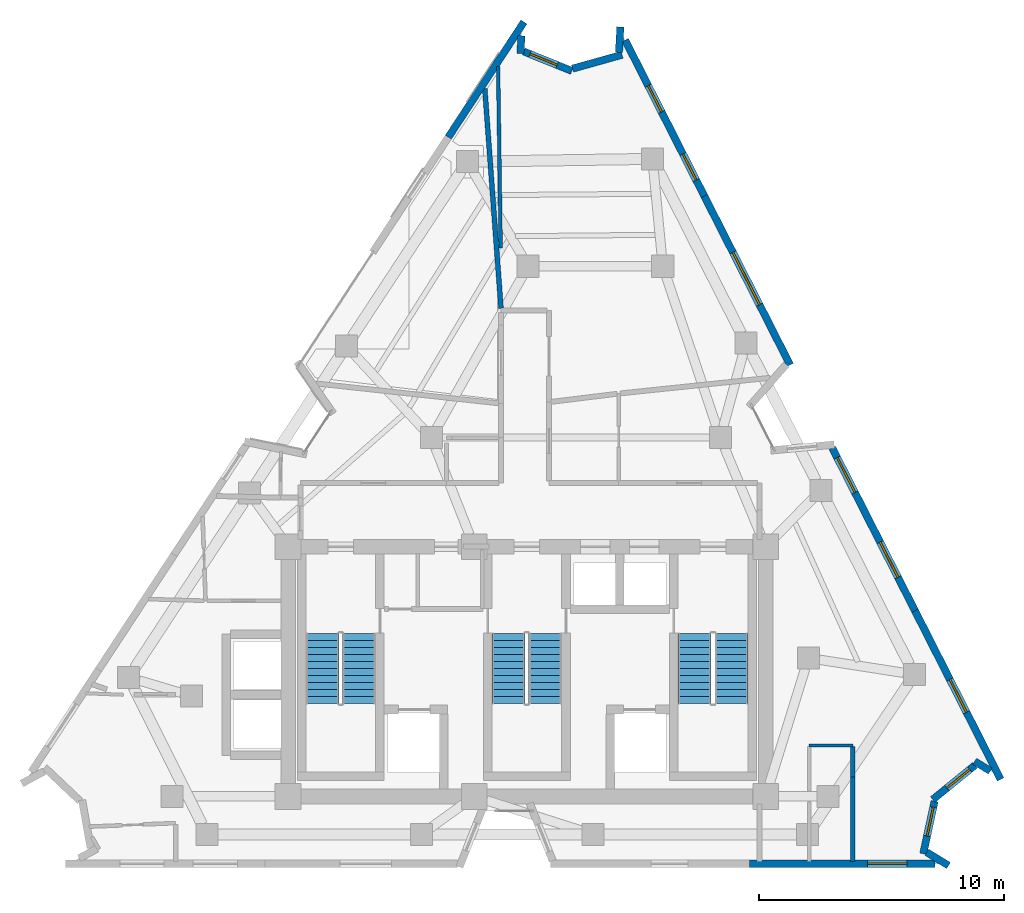
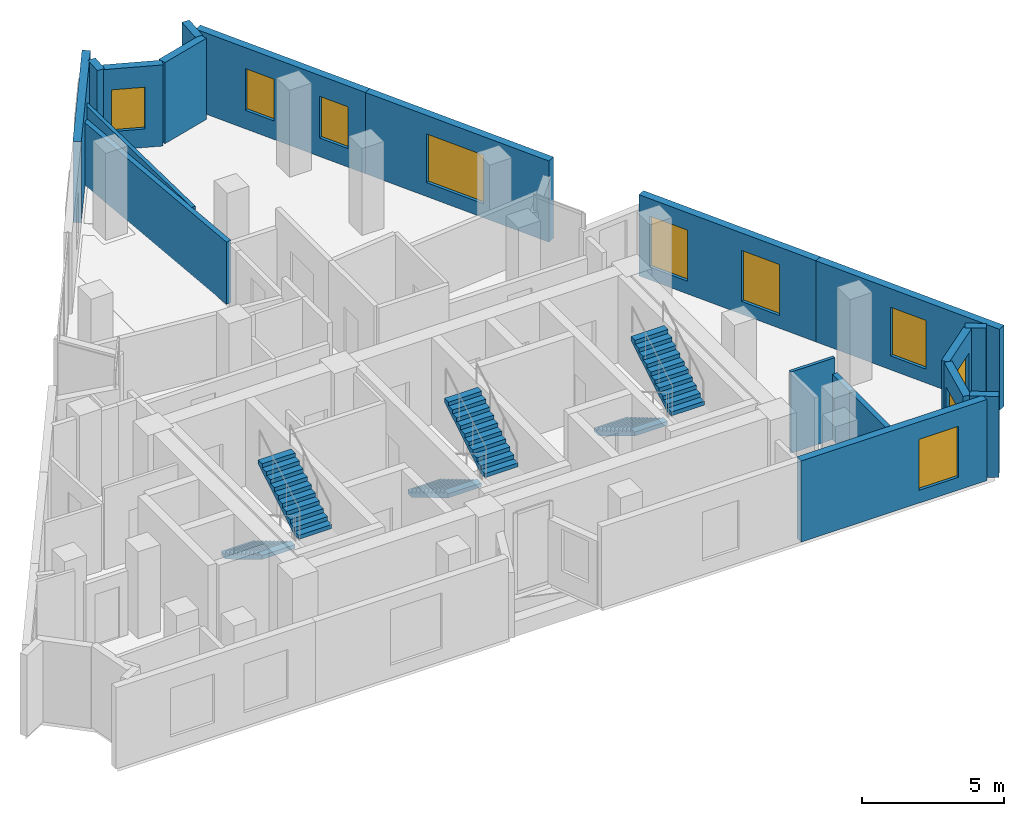
# One storey, part 7 of 8: 19 walls, 10 windows, 6 stair flights, 10 openings, 3 elements without a shape of their own.
"""IFC4 building model written with IfcOpenShell, lengths in metres."""

from ifc_helpers import new_model, si_unit, direction, frame, frame_2d, origin, place, context, subcontext, project, spatial, polyline, rectangle, outline, extrude, material, layer, layer_set, type_object, element, fill, aggregate, save


model = new_model("IFC4")

# Units and contexts
model_context = context("Model", 3, precision=1e-05, world=origin(), true_north=direction((0.0, 1.0)))
body_context = subcontext(model_context, "Body", "Model", "MODEL_VIEW")
ifc_project = project(units=[si_unit("LENGTHUNIT", "METRE"), si_unit("AREAUNIT", "SQUARE_METRE"), si_unit("VOLUMEUNIT", "CUBIC_METRE"), si_unit("PLANEANGLEUNIT", "RADIAN"), si_unit("MASSUNIT", "GRAM", prefix="KILO")], contexts=[model_context])

# Site, building, storey
site_placement = place(None, origin())
site = spatial("IfcSite", under=ifc_project, at=site_placement, CompositionType="ELEMENT")
building_placement = place(site_placement, origin())
building = spatial("IfcBuilding", under=site, at=building_placement, Name="Almagre Mirador Tower", CompositionType="ELEMENT")
storey_placement = place(building_placement, frame((0.0, 0.0, 240.75)))
storey = spatial("IfcBuildingStorey", under=building, at=storey_placement, Name="L62", CompositionType="ELEMENT", Elevation=240.75)

# Walls
ifc_material_1 = material(Name="Precast concrete C50/60", Category="concrete")
ifc_layer_1 = layer(ifc_material_1, 0.300048828125)
ifc_layer_set_1 = layer_set([ifc_layer_1], Name="Precast concrete C50/60")
wall_type_1 = type_object("IfcWallType", Name="WAL-EXT-300", PredefinedType="SOLIDWALL", material=ifc_layer_set_1)
wall_1_placement = place(storey_placement, frame((34.092529296875, 31.472900390625, 0.0), z_axis=(0.0, 0.0, 1.0), x_axis=(0.549058359685, 0.835784013762, 0.0)))
element("IfcWall", 1, at=wall_1_placement, inside=storey, type_object=wall_type_1, Name="L62 expressed almagre precast frame wall 04", PredefinedType="SOLIDWALL", context=body_context, shape_type="SweptSolid", body=[
    extrude(rectangle(XDim=5.624755859375, YDim=0.300048828125, at=frame_2d((2.8125, 0.0))), origin(), (0.0, 0.0, 1.0), 3.5),
])
wall_2_placement = place(storey_placement, frame((37.0791015625, 35.61279296875, 0.0), z_axis=(0.0, 0.0, 1.0), x_axis=(-0.056136239568, -0.998423118025, 0.0)))
element("IfcWall", 2, at=wall_2_placement, inside=storey, type_object=wall_type_1, Name="L62 expressed almagre precast frame wall 05", PredefinedType="SOLIDWALL", context=body_context, shape_type="SweptSolid", body=[
    extrude(rectangle(XDim=0.730712890625, YDim=0.300048828125, at=frame_2d((0.365234375, 0.0))), origin(), (0.0, 0.0, 1.0), 3.5),
])

# Wall, opening, window
wall_3_placement = place(storey_placement, frame((37.171142578125, 34.972412109375, 0.0), z_axis=(0.0, 0.0, 1.0), x_axis=(0.927076098221, -0.37487318937, 0.0)))
wall_3 = element("IfcWall", 3, at=wall_3_placement, inside=storey, type_object=wall_type_1, Name="L62 expressed almagre precast frame wall 06", PredefinedType="SOLIDWALL", context=body_context, shape_type="SweptSolid", body=[
    extrude(rectangle(XDim=2.125732421875, YDim=0.300048828125, at=frame_2d((1.06298828125, 0.0))), origin(), (0.0, 0.0, 1.0), 3.5),
])
opening_1_placement = place(wall_3_placement, frame((0.27490234375, 0.0, 0.800048828125)))
opening_1 = element("IfcOpeningElement", 4, at=opening_1_placement, cuts=wall_3, Name="Opening WN-04", PredefinedType="OPENING", context=body_context, shape_type="SweptSolid", body=[
    extrude(rectangle(XDim=1.199951171875, YDim=1.800048828125, at=frame_2d((0.60009765625, 0.89990234375))), frame((0.0, 0.159902, 0.0), z_axis=(0.0, -1.0, 0.0), x_axis=(1.0, 0.0, 0.0)), (0.0, 0.0, 1.0), 0.320049),
])
ifc_material_2 = material(Name="Dark solar-control laminated hurricane glass", Category="glass")
window_type_1 = type_object("IfcWindowType", Name="WIN-1200X1800", PartitioningType="SINGLE_PANEL", PredefinedType="WINDOW", material=ifc_material_2)
window_1_placement = place(opening_1_placement, origin())
window_1 = element("IfcWindow", 5, at=window_1_placement, inside=storey, type_object=window_type_1, Name="L62 recessed hurricane window L62-UK-KT", OverallHeight=1.800048828125, OverallWidth=1.199951171875, PartitioningType="SINGLE_PANEL", PredefinedType="WINDOW", context=body_context, shape_type="SweptSolid", body=[
    extrude(rectangle(XDim=1.199951171875, YDim=1.800048828125, at=frame_2d((0.60009765625, 0.89990234375))), frame((0.0, 0.030029296875, 0.0), z_axis=(0.0, -1.0, 0.0), x_axis=(1.0, 0.0, 0.0)), (0.0, 0.0, 1.0), 0.06005859375),
])
fill(opening_1, window_1)

# Walls
wall_4_placement = place(storey_placement, frame((39.166015625, 34.27099609375, 0.0), z_axis=(0.0, 0.0, 1.0), x_axis=(0.962897602702, 0.269867016714, 0.0)))
element("IfcWall", 6, at=wall_4_placement, inside=storey, type_object=wall_type_1, Name="L62 expressed almagre precast frame wall 07", PredefinedType="SOLIDWALL", context=body_context, shape_type="SweptSolid", body=[
    extrude(rectangle(XDim=2.1005859375, YDim=0.300048828125, at=frame_2d((1.05029296875, 0.0))), origin(), (0.0, 0.0, 1.0), 3.5),
])
wall_5_placement = place(storey_placement, frame((41.0615234375, 34.934814453125, 0.0), z_axis=(0.0, 0.0, 1.0), x_axis=(0.056067679965, 0.998426970421, 0.0)))
element("IfcWall", 7, at=wall_5_placement, inside=storey, type_object=wall_type_1, Name="L62 expressed almagre precast frame wall 08", PredefinedType="SOLIDWALL", context=body_context, shape_type="SweptSolid", body=[
    extrude(rectangle(XDim=1.040771484375, YDim=0.300048828125, at=frame_2d((0.5205078125, 0.0))), origin(), (0.0, 0.0, 1.0), 3.5),
])

# Wall, openings, windows
wall_6_placement = place(storey_placement, frame((41.3134765625, 35.437255859375, 0.0), z_axis=(0.0, 0.0, 1.0), x_axis=(0.45284692617, -0.891588280238, 0.0)))
wall_6 = element("IfcWall", 8, at=wall_6_placement, inside=storey, type_object=wall_type_1, Name="L62 expressed almagre precast frame wall 09", PredefinedType="SOLIDWALL", context=body_context, shape_type="SweptSolid", body=[
    extrude(rectangle(XDim=7.148193359375, YDim=0.300048828125, at=frame_2d((3.57421875, 0.0))), origin(), (0.0, 0.0, 1.0), 3.5),
])
opening_2_placement = place(wall_6_placement, frame((5.215087890625, 0.0, 0.800048828125)))
opening_2 = element("IfcOpeningElement", 9, at=opening_2_placement, cuts=wall_6, Name="Opening WN-04", PredefinedType="OPENING", context=body_context, shape_type="SweptSolid", body=[
    extrude(rectangle(XDim=1.199951171875, YDim=1.800048828125, at=frame_2d((0.60009765625, 0.89990234375))), frame((0.0, 0.159902, 0.0), z_axis=(0.0, -1.0, 0.0), x_axis=(1.0, 0.0, 0.0)), (0.0, 0.0, 1.0), 0.320049),
])
opening_3_placement = place(wall_6_placement, frame((2.090087890625, 0.0, 0.800048828125)))
opening_3 = element("IfcOpeningElement", 10, at=opening_3_placement, cuts=wall_6, Name="Opening WN-04", PredefinedType="OPENING", context=body_context, shape_type="SweptSolid", body=[
    extrude(rectangle(XDim=1.199951171875, YDim=1.800048828125, at=frame_2d((0.60009765625, 0.89990234375))), frame((0.0, 0.159902, 0.0), z_axis=(0.0, -1.0, 0.0), x_axis=(1.0, 0.0, 0.0)), (0.0, 0.0, 1.0), 0.320049),
])
window_2_placement = place(opening_2_placement, origin())
window_2 = element("IfcWindow", 11, at=window_2_placement, inside=storey, type_object=window_type_1, Name="L62 recessed hurricane window L62-UK-ST", OverallHeight=1.800048828125, OverallWidth=1.199951171875, PartitioningType="SINGLE_PANEL", PredefinedType="WINDOW", context=body_context, shape_type="SweptSolid", body=[
    extrude(rectangle(XDim=1.199951171875, YDim=1.800048828125, at=frame_2d((0.60009765625, 0.89990234375))), frame((0.0, 0.030029296875, 0.0), z_axis=(0.0, -1.0, 0.0), x_axis=(1.0, 0.0, 0.0)), (0.0, 0.0, 1.0), 0.06005859375),
])
fill(opening_2, window_2)
window_3_placement = place(opening_3_placement, origin())
window_3 = element("IfcWindow", 12, at=window_3_placement, inside=storey, type_object=window_type_1, Name="L62 recessed hurricane window L62-UK-BT", OverallHeight=1.800048828125, OverallWidth=1.199951171875, PartitioningType="SINGLE_PANEL", PredefinedType="WINDOW", context=body_context, shape_type="SweptSolid", body=[
    extrude(rectangle(XDim=1.199951171875, YDim=1.800048828125, at=frame_2d((0.60009765625, 0.89990234375))), frame((0.0, 0.030029296875, 0.0), z_axis=(0.0, -1.0, 0.0), x_axis=(1.0, 0.0, 0.0)), (0.0, 0.0, 1.0), 0.06005859375),
])
fill(opening_3, window_3)

# Wall, opening, window
wall_7_placement = place(storey_placement, frame((44.550537109375, 29.06396484375, 0.0), z_axis=(0.0, 0.0, 1.0), x_axis=(0.452849522817, -0.89158696137, 0.0)))
wall_7 = element("IfcWall", 13, at=wall_7_placement, inside=storey, type_object=wall_type_1, Name="L62 expressed almagre precast frame wall 10", PredefinedType="SOLIDWALL", context=body_context, shape_type="SweptSolid", body=[
    extrude(rectangle(XDim=7.733154296875, YDim=0.300048828125, at=frame_2d((3.86669921875, 0.0))), origin(), (0.0, 0.0, 1.0), 3.5),
])
opening_4_placement = place(wall_7_placement, frame((2.574951171875, 0.0, 0.60009765625)))
opening_4 = element("IfcOpeningElement", 14, at=opening_4_placement, cuts=wall_7, Name="Opening WN-02", PredefinedType="OPENING", context=body_context, shape_type="SweptSolid", body=[
    extrude(rectangle(XDim=2.39990234375, YDim=2.10009765625, at=frame_2d((1.199951171875, 1.050048828125))), frame((0.0, 0.159902, 0.0), z_axis=(0.0, -1.0, 0.0), x_axis=(1.0, 0.0, 0.0)), (0.0, 0.0, 1.0), 0.320049),
])
ifc_material_3 = material(Name="Dark solar-control laminated hurricane glass", Category="glass")
window_type_2 = type_object("IfcWindowType", Name="WIN-2400X2100", PartitioningType="TRIPLE_PANEL_VERTICAL", PredefinedType="WINDOW", material=ifc_material_3)
window_4_placement = place(opening_4_placement, origin())
window_4 = element("IfcWindow", 15, at=window_4_placement, inside=storey, type_object=window_type_2, Name="L62 recessed hurricane window L62-UK-ST", OverallHeight=2.10009765625, OverallWidth=2.39990234375, PartitioningType="SINGLE_PANEL", PredefinedType="WINDOW", context=body_context, shape_type="SweptSolid", body=[
    extrude(rectangle(XDim=2.39990234375, YDim=2.10009765625, at=frame_2d((1.199951171875, 1.050048828125))), frame((0.0, 0.030029296875, 0.0), z_axis=(0.0, -1.0, 0.0), x_axis=(1.0, 0.0, 0.0)), (0.0, 0.0, 1.0), 0.06005859375),
])
fill(opening_4, window_4)

# Wall, openings, windows
wall_8_placement = place(storey_placement, frame((49.772216796875, 18.78564453125, 0.0), z_axis=(0.0, 0.0, 1.0), x_axis=(0.452822087263, -0.891600895741, 0.0)))
wall_8 = element("IfcWall", 16, at=wall_8_placement, inside=storey, type_object=wall_type_1, Name="L62 expressed almagre precast frame wall 13", PredefinedType="SOLIDWALL", context=body_context, shape_type="SweptSolid", body=[
    extrude(rectangle(XDim=7.4580078125, YDim=0.300048828125, at=frame_2d((3.72900390625, 0.0))), origin(), (0.0, 0.0, 1.0), 3.5),
])
opening_5_placement = place(wall_8_placement, frame((4.324951171875, 0.0, 0.550048828125)))
opening_5 = element("IfcOpeningElement", 17, at=opening_5_placement, cuts=wall_8, Name="Opening WN-06", PredefinedType="OPENING", context=body_context, shape_type="SweptSolid", body=[
    extrude(rectangle(XDim=1.60009765625, YDim=2.199951171875, at=frame_2d((0.800048828125, 1.10009765625))), frame((0.0, 0.159902, 0.0), z_axis=(0.0, -1.0, 0.0), x_axis=(1.0, 0.0, 0.0)), (0.0, 0.0, 1.0), 0.320049),
])
opening_6_placement = place(wall_8_placement, frame((0.449951171875, 0.0, 0.550048828125)))
opening_6 = element("IfcOpeningElement", 18, at=opening_6_placement, cuts=wall_8, Name="Opening WN-06", PredefinedType="OPENING", context=body_context, shape_type="SweptSolid", body=[
    extrude(rectangle(XDim=1.60009765625, YDim=2.199951171875, at=frame_2d((0.800048828125, 1.10009765625))), frame((0.0, 0.159902, 0.0), z_axis=(0.0, -1.0, 0.0), x_axis=(1.0, 0.0, 0.0)), (0.0, 0.0, 1.0), 0.320049),
])
ifc_material_4 = material(Name="Dark solar-control laminated hurricane glass", Category="glass")
window_type_3 = type_object("IfcWindowType", Name="WIN-1600X2200", PartitioningType="DOUBLE_PANEL_VERTICAL", PredefinedType="WINDOW", material=ifc_material_4)
window_5_placement = place(opening_5_placement, origin())
window_5 = element("IfcWindow", 19, at=window_5_placement, inside=storey, type_object=window_type_3, Name="L62 recessed hurricane window L62-UD-ST", OverallHeight=2.199951171875, OverallWidth=1.60009765625, PartitioningType="SINGLE_PANEL", PredefinedType="WINDOW", context=body_context, shape_type="SweptSolid", body=[
    extrude(rectangle(XDim=1.60009765625, YDim=2.199951171875, at=frame_2d((0.800048828125, 1.10009765625))), frame((0.0, 0.030029296875, 0.0), z_axis=(0.0, -1.0, 0.0), x_axis=(1.0, 0.0, 0.0)), (0.0, 0.0, 1.0), 0.06005859375),
])
fill(opening_5, window_5)
window_6_placement = place(opening_6_placement, origin())
window_6 = element("IfcWindow", 20, at=window_6_placement, inside=storey, type_object=window_type_3, Name="L62 recessed hurricane window L62-UG-ST", OverallHeight=2.199951171875, OverallWidth=1.60009765625, PartitioningType="SINGLE_PANEL", PredefinedType="WINDOW", context=body_context, shape_type="SweptSolid", body=[
    extrude(rectangle(XDim=1.60009765625, YDim=2.199951171875, at=frame_2d((0.800048828125, 1.10009765625))), frame((0.0, 0.030029296875, 0.0), z_axis=(0.0, -1.0, 0.0), x_axis=(1.0, 0.0, 0.0)), (0.0, 0.0, 1.0), 0.06005859375),
])
fill(opening_6, window_6)

# Wall, opening, window
wall_9_placement = place(storey_placement, frame((53.1494140625, 12.135986328125, 0.0), z_axis=(0.0, 0.0, 1.0), x_axis=(0.452849522817, -0.89158696137, 0.0)))
wall_9 = element("IfcWall", 21, at=wall_9_placement, inside=storey, type_object=wall_type_1, Name="L62 expressed almagre precast frame wall 14", PredefinedType="SOLIDWALL", context=body_context, shape_type="SweptSolid", body=[
    extrude(rectangle(XDim=7.733154296875, YDim=0.300048828125, at=frame_2d((3.86669921875, 0.0))), origin(), (0.0, 0.0, 1.0), 3.5),
])
opening_7_placement = place(wall_9_placement, frame((3.14990234375, 0.0, 0.60009765625)))
opening_7 = element("IfcOpeningElement", 22, at=opening_7_placement, cuts=wall_9, Name="Opening WN-03", PredefinedType="OPENING", context=body_context, shape_type="SweptSolid", body=[
    extrude(rectangle(XDim=1.5, YDim=2.10009765625, at=frame_2d((0.75, 1.050048828125))), frame((0.0, 0.159902, 0.0), z_axis=(0.0, -1.0, 0.0), x_axis=(1.0, 0.0, 0.0)), (0.0, 0.0, 1.0), 0.320049),
])
ifc_material_5 = material(Name="Dark solar-control laminated hurricane glass", Category="glass")
window_type_4 = type_object("IfcWindowType", Name="WIN-1500X2100", PartitioningType="DOUBLE_PANEL_VERTICAL", PredefinedType="WINDOW", material=ifc_material_5)
window_7_placement = place(opening_7_placement, origin())
window_7 = element("IfcWindow", 23, at=window_7_placement, inside=storey, type_object=window_type_4, Name="L62 recessed hurricane window L62-UD-KT", OverallHeight=2.10009765625, OverallWidth=1.5, PartitioningType="SINGLE_PANEL", PredefinedType="WINDOW", context=body_context, shape_type="SweptSolid", body=[
    extrude(rectangle(XDim=1.5, YDim=2.10009765625, at=frame_2d((0.75, 1.050048828125))), frame((0.0, 0.030029296875, 0.0), z_axis=(0.0, -1.0, 0.0), x_axis=(1.0, 0.0, 0.0)), (0.0, 0.0, 1.0), 0.06005859375),
])
fill(opening_7, window_7)

# Wall
wall_10_placement = place(storey_placement, frame((56.225830078125, 5.58837890625, 0.0), z_axis=(0.0, 0.0, 1.0), x_axis=(-0.851959856167, 0.523607107935, 0.0)))
element("IfcWall", 24, at=wall_10_placement, inside=storey, type_object=wall_type_1, Name="L62 expressed almagre precast frame wall 15", PredefinedType="SOLIDWALL", context=body_context, shape_type="SweptSolid", body=[
    extrude(rectangle(XDim=0.750244140625, YDim=0.300048828125, at=frame_2d((0.375, 0.0))), origin(), (0.0, 0.0, 1.0), 3.5),
])

# Wall, opening, window
wall_11_placement = place(storey_placement, frame((55.601318359375, 5.82275390625, 0.0), z_axis=(0.0, 0.0, 1.0), x_axis=(-0.775969517168, -0.630770408648, 0.0)))
wall_11 = element("IfcWall", 25, at=wall_11_placement, inside=storey, type_object=wall_type_1, Name="L62 expressed almagre precast frame wall 16", PredefinedType="SOLIDWALL", context=body_context, shape_type="SweptSolid", body=[
    extrude(rectangle(XDim=2.222900390625, YDim=0.300048828125, at=frame_2d((1.111328125, 0.0))), origin(), (0.0, 0.0, 1.0), 3.5),
])
opening_8_placement = place(wall_11_placement, frame((0.27490234375, 0.0, 0.800048828125)))
opening_8 = element("IfcOpeningElement", 26, at=opening_8_placement, cuts=wall_11, Name="Opening WN-04", PredefinedType="OPENING", context=body_context, shape_type="SweptSolid", body=[
    extrude(rectangle(XDim=1.199951171875, YDim=1.800048828125, at=frame_2d((0.60009765625, 0.89990234375))), frame((0.0, 0.159902, 0.0), z_axis=(0.0, -1.0, 0.0), x_axis=(1.0, 0.0, 0.0)), (0.0, 0.0, 1.0), 0.320049),
])
window_8_placement = place(opening_8_placement, origin())
window_8 = element("IfcWindow", 27, at=window_8_placement, inside=storey, type_object=window_type_1, Name="L62 recessed hurricane window L62-UD-KT", OverallHeight=1.800048828125, OverallWidth=1.199951171875, PartitioningType="SINGLE_PANEL", PredefinedType="WINDOW", context=body_context, shape_type="SweptSolid", body=[
    extrude(rectangle(XDim=1.199951171875, YDim=1.800048828125, at=frame_2d((0.60009765625, 0.89990234375))), frame((0.0, 0.030029296875, 0.0), z_axis=(0.0, -1.0, 0.0), x_axis=(1.0, 0.0, 0.0)), (0.0, 0.0, 1.0), 0.06005859375),
])
fill(opening_8, window_8)

wall_12_placement = place(storey_placement, frame((53.951416015625, 4.3525390625, 0.0), z_axis=(0.0, 0.0, 1.0), x_axis=(-0.210621406129, -0.977567707773, 0.0)))
wall_12 = element("IfcWall", 28, at=wall_12_placement, inside=storey, type_object=wall_type_1, Name="L62 expressed almagre precast frame wall 17", PredefinedType="SOLIDWALL", context=body_context, shape_type="SweptSolid", body=[
    extrude(rectangle(XDim=2.19775390625, YDim=0.300048828125, at=frame_2d((1.098876953125, 0.0))), origin(), (0.0, 0.0, 1.0), 3.5),
])
opening_9_placement = place(wall_12_placement, frame((0.25, 0.0, 0.800048828125)))
opening_9 = element("IfcOpeningElement", 29, at=opening_9_placement, cuts=wall_12, Name="Opening WN-04", PredefinedType="OPENING", context=body_context, shape_type="SweptSolid", body=[
    extrude(rectangle(XDim=1.199951171875, YDim=1.800048828125, at=frame_2d((0.60009765625, 0.89990234375))), frame((0.0, 0.159902, 0.0), z_axis=(0.0, -1.0, 0.0), x_axis=(1.0, 0.0, 0.0)), (0.0, 0.0, 1.0), 0.320049),
])
window_9_placement = place(opening_9_placement, origin())
window_9 = element("IfcWindow", 30, at=window_9_placement, inside=storey, type_object=window_type_1, Name="L62 recessed hurricane window L62-UD-BT", OverallHeight=1.800048828125, OverallWidth=1.199951171875, PartitioningType="SINGLE_PANEL", PredefinedType="WINDOW", context=body_context, shape_type="SweptSolid", body=[
    extrude(rectangle(XDim=1.199951171875, YDim=1.800048828125, at=frame_2d((0.60009765625, 0.89990234375))), frame((0.0, 0.030029296875, 0.0), z_axis=(0.0, -1.0, 0.0), x_axis=(1.0, 0.0, 0.0)), (0.0, 0.0, 1.0), 0.06005859375),
])
fill(opening_9, window_9)

# Wall
wall_13_placement = place(storey_placement, frame((53.633056640625, 2.2705078125, 0.0), z_axis=(0.0, 0.0, 1.0), x_axis=(0.852375061926, -0.522930926421, 0.0)))
element("IfcWall", 31, at=wall_13_placement, inside=storey, type_object=wall_type_1, Name="L62 expressed almagre precast frame wall 18", PredefinedType="SOLIDWALL", context=body_context, shape_type="SweptSolid", body=[
    extrude(rectangle(XDim=1.039794921875, YDim=0.300048828125, at=frame_2d((0.52001953125, 0.0))), origin(), (0.0, 0.0, 1.0), 3.5),
])

# Wall, opening, window
wall_14_placement = place(storey_placement, frame((53.97509765625, 1.800048828125, 0.0), z_axis=(0.0, 0.0, 1.0), x_axis=(-1.0, 0.0, 0.0)))
wall_14 = element("IfcWall", 32, at=wall_14_placement, inside=storey, type_object=wall_type_1, Name="L62 expressed almagre precast frame wall 19", PredefinedType="SOLIDWALL", context=body_context, shape_type="SweptSolid", body=[
    extrude(rectangle(XDim=7.5751953125, YDim=0.300048828125, at=frame_2d((3.78759765625, 0.0))), origin(), (0.0, 0.0, 1.0), 3.5),
])
opening_10_placement = place(wall_14_placement, frame((1.159912109375, 0.0, 0.550048828125)))
opening_10 = element("IfcOpeningElement", 33, at=opening_10_placement, cuts=wall_14, Name="Opening WN-06", PredefinedType="OPENING", context=body_context, shape_type="SweptSolid", body=[
    extrude(rectangle(XDim=1.60009765625, YDim=2.199951171875, at=frame_2d((0.800048828125, 1.10009765625))), frame((0.0, 0.159902, 0.0), z_axis=(0.0, -1.0, 0.0), x_axis=(1.0, 0.0, 0.0)), (0.0, 0.0, 1.0), 0.320049),
])
window_10_placement = place(opening_10_placement, origin())
window_10 = element("IfcWindow", 34, at=window_10_placement, inside=storey, type_object=window_type_3, Name="L62 recessed hurricane window L62-UD-BT", OverallHeight=2.199951171875, OverallWidth=1.60009765625, PartitioningType="SINGLE_PANEL", PredefinedType="WINDOW", context=body_context, shape_type="SweptSolid", body=[
    extrude(rectangle(XDim=1.60009765625, YDim=2.199951171875, at=frame_2d((0.800048828125, 1.10009765625))), frame((0.0, 0.030029296875, 0.0), z_axis=(0.0, -1.0, 0.0), x_axis=(1.0, 0.0, 0.0)), (0.0, 0.0, 1.0), 0.06005859375),
])
fill(opening_10, window_10)

# Walls
ifc_material_6 = material(Name="Gypsum acoustic stud partition", Category="other")
ifc_layer_2 = layer(ifc_material_6, 0.125)
ifc_layer_set_2 = layer_set([ifc_layer_2], Name="Gypsum acoustic stud partition")
wall_type_2 = type_object("IfcWallType", Name="WAL-PRT-125-UTL", PredefinedType="PARTITIONING", material=ifc_layer_set_2)
wall_15_placement = place(storey_placement, frame((48.830078125, 6.6298828125, 0.0), z_axis=(0.0, 0.0, 1.0), x_axis=(1.0, 0.0, 0.0)))
element("IfcWall", 35, at=wall_15_placement, inside=storey, type_object=wall_type_2, Name="L62 interior partition 027", PredefinedType="PARTITIONING", context=body_context, shape_type="SweptSolid", body=[
    extrude(rectangle(XDim=1.780029296875, YDim=0.125, at=frame_2d((0.89013671875, 0.0))), origin(), (0.0, 0.0, 1.0), 3.5),
])
ifc_material_7 = material(Name="Gypsum acoustic stud partition", Category="other")
ifc_layer_3 = layer(ifc_material_7, 0.14990234375)
ifc_layer_set_3 = layer_set([ifc_layer_3], Name="Gypsum acoustic stud partition")
wall_type_3 = type_object("IfcWallType", Name="WAL-PRT-150-STD", PredefinedType="PARTITIONING", material=ifc_layer_set_3)
wall_16_placement = place(storey_placement, frame((36.23095703125, 26.947998046875, 0.0), z_axis=(0.0, 0.0, 1.0), x_axis=(-0.014175490249, 0.99989952269, 0.0)))
element("IfcWall", 36, at=wall_16_placement, inside=storey, type_object=wall_type_3, Name="L62 interior partition 067", PredefinedType="PARTITIONING", context=body_context, shape_type="SweptSolid", body=[
    extrude(rectangle(XDim=7.40576171875, YDim=0.14990234375, at=frame_2d((3.702880859375, 0.0))), origin(), (0.0, 0.0, 1.0), 2.68505859375),
])
ifc_material_8 = material(Name="Gypsum acoustic stud partition", Category="other")
ifc_layer_4 = layer(ifc_material_8, 0.199951171875)
ifc_layer_set_4 = layer_set([ifc_layer_4], Name="Gypsum acoustic stud partition")
wall_type_4 = type_object("IfcWallType", Name="WAL-PRT-200-EI60", PredefinedType="PARTITIONING", material=ifc_layer_set_4)
wall_17_placement = place(storey_placement, frame((50.610107421875, 5.35009765625, 0.0), z_axis=(0.0, 0.0, 1.0), x_axis=(0.0, 1.0, 0.0)))
element("IfcWall", 37, at=wall_17_placement, inside=storey, type_object=wall_type_4, Name="L62 interior partition 033", PredefinedType="PARTITIONING", context=body_context, shape_type="SweptSolid", body=[
    extrude(rectangle(XDim=1.232421875, YDim=0.199951171875, at=frame_2d((0.6162109375, 0.0))), origin(), (0.0, 0.0, 1.0), 2.820068359375),
])
wall_18_placement = place(storey_placement, frame((50.610107421875, 1.89990234375, 0.0), z_axis=(0.0, 0.0, 1.0), x_axis=(0.0, 1.0, 0.0)))
element("IfcWall", 38, at=wall_18_placement, inside=storey, type_object=wall_type_4, Name="L62 interior partition 034", PredefinedType="PARTITIONING", context=body_context, shape_type="SweptSolid", body=[
    extrude(rectangle(XDim=3.4501953125, YDim=0.199951171875, at=frame_2d((1.72509765625, 0.0))), origin(), (0.0, 0.0, 1.0), 2.820068359375),
])
wall_19_placement = place(storey_placement, frame((36.243896484375, 24.48486328125, 0.0), z_axis=(0.0, 0.0, 1.0), x_axis=(-0.073576769904, 0.997289556212, 0.0)))
element("IfcWall", 39, at=wall_19_placement, inside=storey, type_object=wall_type_4, Name="L62 interior partition 056", PredefinedType="PARTITIONING", context=body_context, shape_type="SweptSolid", body=[
    extrude(rectangle(XDim=8.99560546875, YDim=0.199951171875, at=frame_2d((4.497802734375, 0.0))), origin(), (0.0, 0.0, 1.0), 2.68505859375),
])

# Stair, stair flights
ifc_material_9 = material(Name="Concrete C45/55", Category="concrete")
stair_type = type_object("IfcStairType", Name="STR-DL-3750", PredefinedType="HALF_TURN_STAIR", material=ifc_material_9)
stair_1_placement = place(storey_placement, origin())
stair_1 = element("IfcStair", 40, at=stair_1_placement, inside=storey, type_object=stair_type, Name="L62 Protected exit stair ST-1", PredefinedType="HALF_TURN_STAIR")
ifc_material_10 = material(Name="Concrete C45/55", Category="concrete")
stair_flight_type = type_object("IfcStairFlightType", Name="FLT-DL-3750", PredefinedType="STRAIGHT", material=ifc_material_10)
stair_flight_1_placement = place(storey_placement, frame((28.949951171875, 11.199951171875, 0.0), z_axis=(0.0, 0.0, 1.0), x_axis=(0.0, -1.0, 0.0)))
stair_flight_1 = element("IfcStairFlight", 41, at=stair_flight_1_placement, type_object=stair_flight_type, Name="ST-1 flight 1", NumberOfRisers=11, NumberOfTreads=10, PredefinedType="STRAIGHT", RiserHeight=0.170454545, TreadLength=0.285, context=body_context, shape_type="SweptSolid", body=[
    extrude(outline(polyline([(0.0, 0.0), (0.0, 0.17041015625), (0.284912109375, 0.17041015625), (0.284912109375, 0.3408203125), (0.570068359375, 0.3408203125), (0.570068359375, 0.511474609375), (0.85498046875, 0.511474609375), (0.85498046875, 0.681884765625), (1.139892578125, 0.681884765625), (1.139892578125, 0.852294921875), (1.425048828125, 0.852294921875), (1.425048828125, 1.022705078125), (1.7099609375, 1.022705078125), (1.7099609375, 1.193115234375), (1.9951171875, 1.193115234375), (1.9951171875, 1.363525390625), (2.280029296875, 1.363525390625), (2.280029296875, 1.5341796875), (2.56494140625, 1.5341796875), (2.56494140625, 1.70458984375), (2.85009765625, 1.70458984375), (2.85009765625, 1.875), (2.85009765625, 1.52978515625), (0.2919921875, 0.0), (0.0, 0.0)])), frame((0.0, 0.675048828125, 0.0), z_axis=(0.0, -1.0, 0.0), x_axis=(1.0, 0.0, 0.0)), (0.0, 0.0, 1.0), 1.35009765625),
])
stair_flight_2_placement = place(storey_placement, frame((30.449951171875, 8.35009765625, 1.875), z_axis=(0.0, 0.0, 1.0), x_axis=(0.0, 1.0, 0.0)))
stair_flight_2 = element("IfcStairFlight", 42, at=stair_flight_2_placement, type_object=stair_flight_type, Name="ST-1 flight 2", NumberOfRisers=11, NumberOfTreads=10, PredefinedType="STRAIGHT", RiserHeight=0.170454545, TreadLength=0.285, context=body_context, shape_type="SweptSolid", body=[
    extrude(outline(polyline([(0.0, 0.0), (0.0, 0.17041015625), (0.284912109375, 0.17041015625), (0.284912109375, 0.3408203125), (0.570068359375, 0.3408203125), (0.570068359375, 0.511474609375), (0.85498046875, 0.511474609375), (0.85498046875, 0.681884765625), (1.139892578125, 0.681884765625), (1.139892578125, 0.852294921875), (1.425048828125, 0.852294921875), (1.425048828125, 1.022705078125), (1.7099609375, 1.022705078125), (1.7099609375, 1.193115234375), (1.9951171875, 1.193115234375), (1.9951171875, 1.363525390625), (2.280029296875, 1.363525390625), (2.280029296875, 1.5341796875), (2.56494140625, 1.5341796875), (2.56494140625, 1.70458984375), (2.85009765625, 1.70458984375), (2.85009765625, 1.875), (2.85009765625, 1.52978515625), (0.2919921875, 0.0), (0.0, 0.0)])), frame((0.0, 0.675048828125, 0.0), z_axis=(0.0, -1.0, 0.0), x_axis=(1.0, 0.0, 0.0)), (0.0, 0.0, 1.0), 1.35009765625),
])
aggregate(stair_1, [stair_flight_1, stair_flight_2])

stair_2_placement = place(storey_placement, origin())
stair_2 = element("IfcStair", 43, at=stair_2_placement, inside=storey, type_object=stair_type, Name="L62 Protected exit stair ST-2", PredefinedType="HALF_TURN_STAIR")
stair_flight_3_placement = place(storey_placement, frame((36.550048828125, 11.199951171875, 0.0), z_axis=(0.0, 0.0, 1.0), x_axis=(0.0, -1.0, 0.0)))
stair_flight_3 = element("IfcStairFlight", 44, at=stair_flight_3_placement, type_object=stair_flight_type, Name="ST-2 flight 1", NumberOfRisers=11, NumberOfTreads=10, PredefinedType="STRAIGHT", RiserHeight=0.170454545, TreadLength=0.285, context=body_context, shape_type="SweptSolid", body=[
    extrude(outline(polyline([(0.0, 0.0), (0.0, 0.17041015625), (0.284912109375, 0.17041015625), (0.284912109375, 0.3408203125), (0.570068359375, 0.3408203125), (0.570068359375, 0.511474609375), (0.85498046875, 0.511474609375), (0.85498046875, 0.681884765625), (1.139892578125, 0.681884765625), (1.139892578125, 0.852294921875), (1.425048828125, 0.852294921875), (1.425048828125, 1.022705078125), (1.7099609375, 1.022705078125), (1.7099609375, 1.193115234375), (1.9951171875, 1.193115234375), (1.9951171875, 1.363525390625), (2.280029296875, 1.363525390625), (2.280029296875, 1.5341796875), (2.56494140625, 1.5341796875), (2.56494140625, 1.70458984375), (2.85009765625, 1.70458984375), (2.85009765625, 1.875), (2.85009765625, 1.52978515625), (0.2919921875, 0.0), (0.0, 0.0)])), frame((0.0, 0.675048828125, 0.0), z_axis=(0.0, -1.0, 0.0), x_axis=(1.0, 0.0, 0.0)), (0.0, 0.0, 1.0), 1.35009765625),
])
stair_flight_4_placement = place(storey_placement, frame((38.050048828125, 8.35009765625, 1.875), z_axis=(0.0, 0.0, 1.0), x_axis=(0.0, 1.0, 0.0)))
stair_flight_4 = element("IfcStairFlight", 45, at=stair_flight_4_placement, type_object=stair_flight_type, Name="ST-2 flight 2", NumberOfRisers=11, NumberOfTreads=10, PredefinedType="STRAIGHT", RiserHeight=0.170454545, TreadLength=0.285, context=body_context, shape_type="SweptSolid", body=[
    extrude(outline(polyline([(0.0, 0.0), (0.0, 0.17041015625), (0.284912109375, 0.17041015625), (0.284912109375, 0.3408203125), (0.570068359375, 0.3408203125), (0.570068359375, 0.511474609375), (0.85498046875, 0.511474609375), (0.85498046875, 0.681884765625), (1.139892578125, 0.681884765625), (1.139892578125, 0.852294921875), (1.425048828125, 0.852294921875), (1.425048828125, 1.022705078125), (1.7099609375, 1.022705078125), (1.7099609375, 1.193115234375), (1.9951171875, 1.193115234375), (1.9951171875, 1.363525390625), (2.280029296875, 1.363525390625), (2.280029296875, 1.5341796875), (2.56494140625, 1.5341796875), (2.56494140625, 1.70458984375), (2.85009765625, 1.70458984375), (2.85009765625, 1.875), (2.85009765625, 1.52978515625), (0.2919921875, 0.0), (0.0, 0.0)])), frame((0.0, 0.675048828125, 0.0), z_axis=(0.0, -1.0, 0.0), x_axis=(1.0, 0.0, 0.0)), (0.0, 0.0, 1.0), 1.35009765625),
])
aggregate(stair_2, [stair_flight_3, stair_flight_4])

stair_3_placement = place(storey_placement, origin())
stair_3 = element("IfcStair", 46, at=stair_3_placement, inside=storey, type_object=stair_type, Name="L62 Protected exit stair ST-3", PredefinedType="HALF_TURN_STAIR")
stair_flight_5_placement = place(storey_placement, frame((44.14990234375, 11.199951171875, 0.0), z_axis=(0.0, 0.0, 1.0), x_axis=(0.0, -1.0, 0.0)))
stair_flight_5 = element("IfcStairFlight", 47, at=stair_flight_5_placement, type_object=stair_flight_type, Name="ST-3 flight 1", NumberOfRisers=11, NumberOfTreads=10, PredefinedType="STRAIGHT", RiserHeight=0.170454545, TreadLength=0.285, context=body_context, shape_type="SweptSolid", body=[
    extrude(outline(polyline([(0.0, 0.0), (0.0, 0.17041015625), (0.284912109375, 0.17041015625), (0.284912109375, 0.3408203125), (0.570068359375, 0.3408203125), (0.570068359375, 0.511474609375), (0.85498046875, 0.511474609375), (0.85498046875, 0.681884765625), (1.139892578125, 0.681884765625), (1.139892578125, 0.852294921875), (1.425048828125, 0.852294921875), (1.425048828125, 1.022705078125), (1.7099609375, 1.022705078125), (1.7099609375, 1.193115234375), (1.9951171875, 1.193115234375), (1.9951171875, 1.363525390625), (2.280029296875, 1.363525390625), (2.280029296875, 1.5341796875), (2.56494140625, 1.5341796875), (2.56494140625, 1.70458984375), (2.85009765625, 1.70458984375), (2.85009765625, 1.875), (2.85009765625, 1.52978515625), (0.2919921875, 0.0), (0.0, 0.0)])), frame((0.0, 0.675048828125, 0.0), z_axis=(0.0, -1.0, 0.0), x_axis=(1.0, 0.0, 0.0)), (0.0, 0.0, 1.0), 1.35009765625),
])
stair_flight_6_placement = place(storey_placement, frame((45.64990234375, 8.35009765625, 1.875), z_axis=(0.0, 0.0, 1.0), x_axis=(0.0, 1.0, 0.0)))
stair_flight_6 = element("IfcStairFlight", 48, at=stair_flight_6_placement, type_object=stair_flight_type, Name="ST-3 flight 2", NumberOfRisers=11, NumberOfTreads=10, PredefinedType="STRAIGHT", RiserHeight=0.170454545, TreadLength=0.285, context=body_context, shape_type="SweptSolid", body=[
    extrude(outline(polyline([(0.0, 0.0), (0.0, 0.17041015625), (0.284912109375, 0.17041015625), (0.284912109375, 0.3408203125), (0.570068359375, 0.3408203125), (0.570068359375, 0.511474609375), (0.85498046875, 0.511474609375), (0.85498046875, 0.681884765625), (1.139892578125, 0.681884765625), (1.139892578125, 0.852294921875), (1.425048828125, 0.852294921875), (1.425048828125, 1.022705078125), (1.7099609375, 1.022705078125), (1.7099609375, 1.193115234375), (1.9951171875, 1.193115234375), (1.9951171875, 1.363525390625), (2.280029296875, 1.363525390625), (2.280029296875, 1.5341796875), (2.56494140625, 1.5341796875), (2.56494140625, 1.70458984375), (2.85009765625, 1.70458984375), (2.85009765625, 1.875), (2.85009765625, 1.52978515625), (0.2919921875, 0.0), (0.0, 0.0)])), frame((0.0, 0.675048828125, 0.0), z_axis=(0.0, -1.0, 0.0), x_axis=(1.0, 0.0, 0.0)), (0.0, 0.0, 1.0), 1.35009765625),
])
aggregate(stair_3, [stair_flight_5, stair_flight_6])

save(model, "model.ifc")
